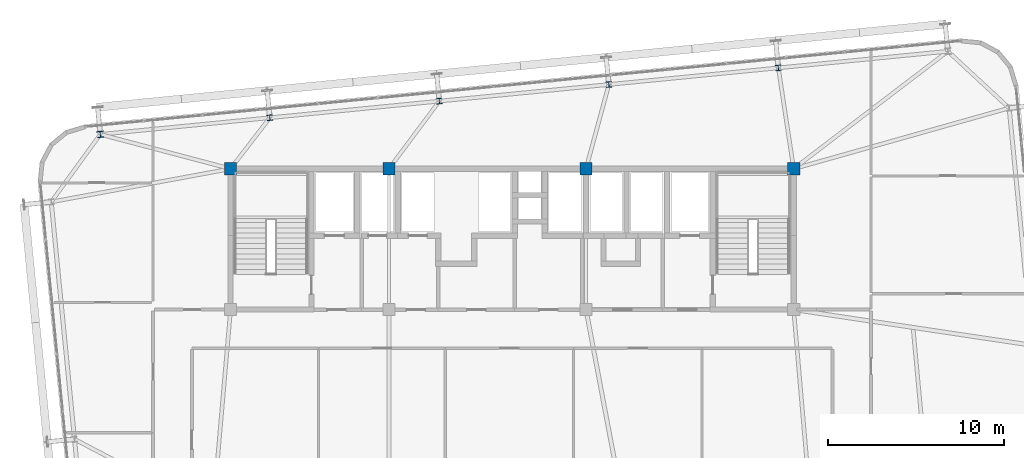
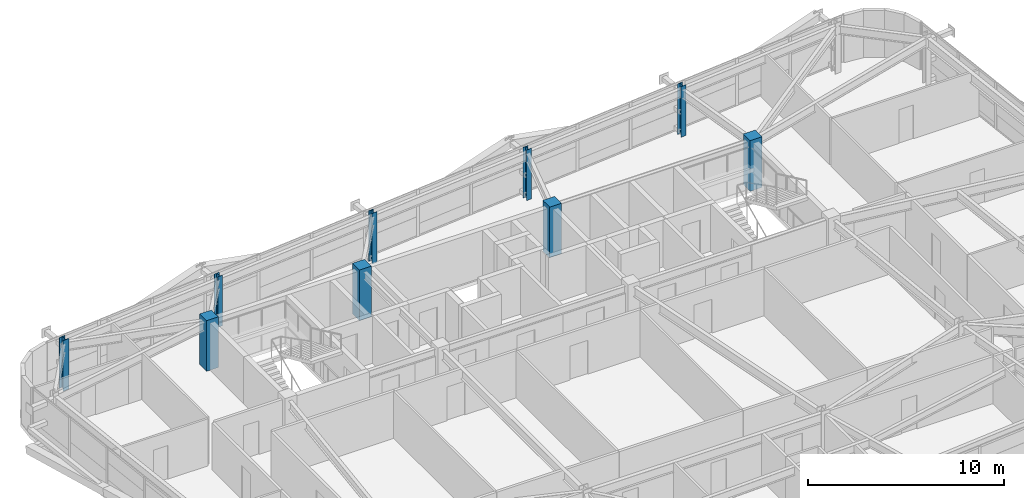
# One storey, part 3 of 52: 9 columns.
"""IFC4 building model written with IfcOpenShell, lengths in metres."""

from ifc_helpers import new_model, si_unit, direction, frame, origin, origin_2d, place, context, subcontext, project, spatial, rectangle, i_section, extrude, source, transform, mapped, material, material_profile, profile_set, type_object, element, save


model = new_model("IFC4")

# Units and contexts
model_context = context("Model", 3, precision=1e-05, world=origin(), true_north=direction((0.0, 1.0)))
body_context = subcontext(model_context, "Body", "Model", "MODEL_VIEW")
ifc_project = project(units=[si_unit("LENGTHUNIT", "METRE"), si_unit("AREAUNIT", "SQUARE_METRE"), si_unit("VOLUMEUNIT", "CUBIC_METRE"), si_unit("PLANEANGLEUNIT", "RADIAN"), si_unit("MASSUNIT", "GRAM", prefix="KILO")], contexts=[model_context])

# Site, building, storey
site_placement = place(None, origin())
site = spatial("IfcSite", under=ifc_project, at=site_placement, CompositionType="ELEMENT")
building_placement = place(site_placement, origin())
building = spatial("IfcBuilding", under=site, at=building_placement, Name="Taldren Reach Tower", CompositionType="ELEMENT")
storey_placement = place(building_placement, frame((0.0, 0.0, 93.449951171875)))
storey = spatial("IfcBuildingStorey", under=building, at=storey_placement, Name="L28", CompositionType="ELEMENT", Elevation=93.449951171875)

# Columns
ifc_material_1 = material(Name="Concrete S65 (65 MPa)", Category="concrete")
ifc_material_profile_1 = material_profile(ifc_material_1, rectangle(XDim=0.699951171875, YDim=0.699951171875, at=origin_2d()), Name="RC-700x700")
ifc_profile_set_1 = profile_set([ifc_material_profile_1], Name="Concrete S65 (65 MPa)")
column_type_1 = type_object("IfcColumnType", Name="COL-RC700", PredefinedType="COLUMN", material=ifc_profile_set_1)
shared_shape_1 = source(origin(), body_context, "Body", "SweptSolid", [
    extrude(rectangle(XDim=0.699951171875, YDim=0.699951171875, at=origin_2d()), origin(), (0.0, 0.0, 1.0), 3.150146484375),
])
for number, where, z_axis, x_axis, name in (
    (1, (19.0, 32.0, 0.0), (0.0, 0.0, 1.0), (1.0, 0.0, 0.0), "Mega column MC-C5 L28"),
    (2, (28.0, 32.0, 0.0), (0.0, 0.0, 1.0), (1.0, 0.0, 0.0), "Mega column MC-C6 L28"),
    (3, (39.199951171875, 32.0, 0.0), (0.0, 0.0, 1.0), (1.0, 0.0, 0.0), "Mega column MC-C7 L28"),
    (4, (51.0, 32.0, 0.0), (0.0, 0.0, 1.0), (1.0, 0.0, 0.0), "Mega column MC-C8 L28"),
):
    element("IfcColumn", number, at=place(storey_placement, frame(where, z_axis=z_axis, x_axis=x_axis)), inside=storey, type_object=column_type_1, Name=name, PredefinedType="COLUMN", context=body_context, shape_type="MappedRepresentation", body=[
        mapped(shared_shape_1, transform((0.0, 0.0, 0.0), scale=1.0)),
    ])
ifc_material_2 = material(Name="Steel Gr 350 (350PLUS)", Category="steel")
ifc_material_profile_2 = material_profile(ifc_material_2, i_section(OverallWidth=0.35009765625, OverallDepth=0.35595703125, WebThickness=0.01806640625, FlangeThickness=0.028076171875, at=origin_2d()), Name="350WC197")
ifc_profile_set_2 = profile_set([ifc_material_profile_2], Name="Steel Gr 350 (350PLUS)")
column_type_2 = type_object("IfcColumnType", Name="COL-WC350", PredefinedType="COLUMN", material=ifc_profile_set_2)
shared_shape_2 = source(origin(), body_context, "Body", "SweptSolid", [
    extrude(i_section(OverallWidth=0.35009765625, OverallDepth=0.35595703125, WebThickness=0.01806640625, FlangeThickness=0.028076171875, at=origin_2d()), origin(), (0.0, 0.0, 1.0), 3.150146484375),
])
column_placement = place(storey_placement, frame((11.596923828125, 33.956787109375, 0.0), z_axis=(0.0, 0.0, 1.0), x_axis=(0.995227399982, 0.097582899759, 0.0)))
element("IfcColumn", 5, at=column_placement, inside=storey, type_object=column_type_2, Name="Block B2 perimeter column N1 L28", PredefinedType="COLUMN", context=body_context, shape_type="MappedRepresentation", body=[
    mapped(shared_shape_2, transform((0.0, 0.0, 0.0), scale=1.0)),
])
ifc_material_profile_3 = material_profile(ifc_material_2, i_section(OverallWidth=0.306884765625, OverallDepth=0.31494140625, WebThickness=0.011962890625, FlangeThickness=0.018798828125, at=origin_2d()), Name="310UC118")
ifc_profile_set_3 = profile_set([ifc_material_profile_3], Name="Steel Gr 350 (350PLUS)")
column_type_3 = type_object("IfcColumnType", Name="COL-UC310B", PredefinedType="COLUMN", material=ifc_profile_set_3)
shared_shape_3 = source(origin(), body_context, "Body", "SweptSolid", [
    extrude(i_section(OverallWidth=0.306884765625, OverallDepth=0.31494140625, WebThickness=0.011962890625, FlangeThickness=0.018798828125, at=origin_2d()), origin(), (0.0, 0.0, 1.0), 3.150146484375),
])
for number, where, z_axis, x_axis, name in (
    (6, (21.230712890625, 34.9013671875, 0.0), (0.0, 0.0, 1.0), (0.995227399982, 0.097582899759, 0.0), "Block B2 perimeter column N2 L28"),
    (7, (30.864501953125, 35.84619140625, 0.0), (0.0, 0.0, 1.0), (0.995227399982, 0.097582899759, 0.0), "Block B2 perimeter column N3 L28"),
    (8, (40.498291015625, 36.790771484375, 0.0), (0.0, 0.0, 1.0), (0.995227399982, 0.097582899759, 0.0), "Block B2 perimeter column N4 L28"),
    (9, (50.132080078125, 37.7353515625, 0.0), (0.0, 0.0, 1.0), (0.995227399982, 0.097582899759, 0.0), "Block B2 perimeter column N5 L28"),
):
    element("IfcColumn", number, at=place(storey_placement, frame(where, z_axis=z_axis, x_axis=x_axis)), inside=storey, type_object=column_type_3, Name=name, PredefinedType="COLUMN", context=body_context, shape_type="MappedRepresentation", body=[
        mapped(shared_shape_3, transform((0.0, 0.0, 0.0), scale=1.0)),
    ])

save(model, "model.ifc")
